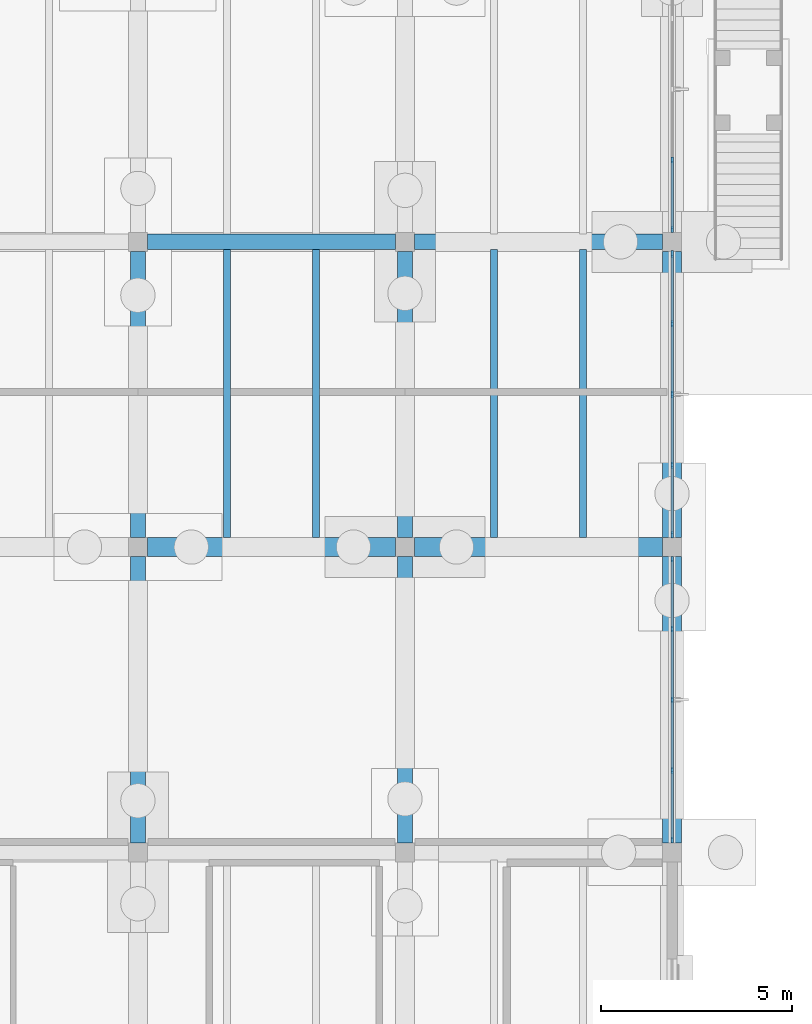
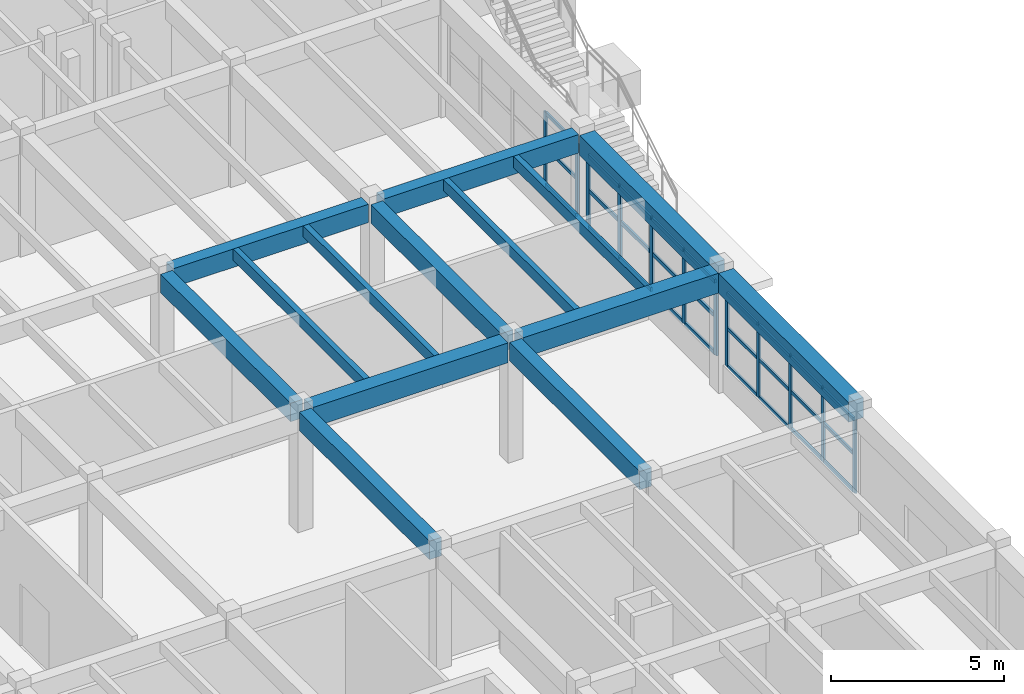
# One storey, part 43 of 99: 39 members, 14 beams, 3 elements without a shape of their own.
"""IFC4 building model written with IfcOpenShell, lengths in metres."""

from ifc_helpers import new_model, si_unit, direction, frame, origin, origin_2d, place, context, subcontext, project, spatial, rectangle, extrude, material, layer, layer_set, material_profile, profile_set, type_object, element, aggregate, save


model = new_model("IFC4")

# Units and contexts
model_context = context("Model", 3, precision=1e-05, world=origin(), true_north=direction((0.0, 1.0)))
body_context = subcontext(model_context, "Body", "Model", "MODEL_VIEW")
ifc_project = project(units=[si_unit("LENGTHUNIT", "METRE"), si_unit("AREAUNIT", "SQUARE_METRE"), si_unit("VOLUMEUNIT", "CUBIC_METRE"), si_unit("PLANEANGLEUNIT", "RADIAN"), si_unit("MASSUNIT", "GRAM", prefix="KILO")], contexts=[model_context])

# Site, building, storey
site_placement = place(None, origin())
site = spatial("IfcSite", under=ifc_project, at=site_placement, CompositionType="ELEMENT")
building_placement = place(site_placement, origin())
building = spatial("IfcBuilding", under=site, at=building_placement, Name="Tonlespit Floodbar School", CompositionType="ELEMENT")
storey_placement = place(building_placement, origin())
storey = spatial("IfcBuildingStorey", under=building, at=storey_placement, Name="L00", CompositionType="ELEMENT", Elevation=0.0)

# Beams
ifc_material_1 = material(Name="Concrete C40/50", Category="concrete")
ifc_material_profile_1 = material_profile(ifc_material_1, rectangle(XDim=0.39990234375, YDim=0.64990234375, at=origin_2d()), Name="RC 400x650")
ifc_profile_set_1 = profile_set([ifc_material_profile_1], Name="Concrete C40/50")
beam_type_1 = type_object("IfcBeamType", Name="Beam_RC_400x650", PredefinedType="BEAM", material=ifc_profile_set_1)
for number, where, z_axis, x_axis, name in (
    (1, (162.25, 96.0, 3.9150390625), (1.0, 0.0, 0.0), (0.0, 1.0, 0.0), "L00 girder 0122"),
    (2, (169.25, 96.0, 3.9150390625), (1.0, 0.0, 0.0), (0.0, 1.0, 0.0), "L00 girder 0123"),
):
    element("IfcBeam", number, at=place(storey_placement, frame(where, z_axis=z_axis, x_axis=x_axis)), inside=storey, type_object=beam_type_1, Name=name, PredefinedType="BEAM", context=body_context, shape_type="SweptSolid", body=[
        extrude(rectangle(XDim=0.39990234375, YDim=0.64990234375, at=origin_2d()), origin(), (0.0, 0.0, 1.0), 6.5),
    ])
for number, where, z_axis, x_axis, name in (
    (3, (162.0, 80.25, 3.9150390625), (0.0, 1.0, 0.0), (-1.0, 0.0, 0.0), "L00 girder 0301"),
    (4, (162.0, 88.25, 3.9150390625), (0.0, 1.0, 0.0), (-1.0, 0.0, 0.0), "L00 girder 0302"),
    (5, (169.0, 80.25, 3.9150390625), (0.0, 1.0, 0.0), (-1.0, 0.0, 0.0), "L00 girder 0309"),
    (6, (169.0, 88.25, 3.9150390625), (0.0, 1.0, 0.0), (-1.0, 0.0, 0.0), "L00 girder 0310"),
):
    element("IfcBeam", number, at=place(storey_placement, frame(where, z_axis=z_axis, x_axis=x_axis)), inside=storey, type_object=beam_type_1, Name=name, PredefinedType="BEAM", context=body_context, shape_type="SweptSolid", body=[
        extrude(rectangle(XDim=0.39990234375, YDim=0.64990234375, at=origin_2d()), origin(), (0.0, 0.0, 1.0), 7.5),
    ])

# Curtain wall, members
ifc_material_2 = material(Name="Anodised Aluminium", Category="aluminium")
ifc_layer = layer(ifc_material_2, 0.159912109375)
ifc_layer_set = layer_set([ifc_layer], Name="Anodised Aluminium")
curtain_wall_type = type_object("IfcCurtainWallType", Name="CurtainWall_7400x2600", PredefinedType="NOTDEFINED", material=ifc_layer_set)
curtain_wall_1_placement = place(storey_placement, origin())
curtain_wall_1 = element("IfcCurtainWall", 7, at=curtain_wall_1_placement, inside=storey, type_object=curtain_wall_type, Name="L00 unitised curtain wall 0374", PredefinedType="NOTDEFINED")
ifc_material_profile_2 = material_profile(ifc_material_2, rectangle(XDim=0.06494140625, YDim=0.14990234375, at=origin_2d()), Name="ALU M65x150")
ifc_profile_set_2 = profile_set([ifc_material_profile_2], Name="Anodised Aluminium")
member_type_1 = type_object("IfcMemberType", Name="CW_Mullion_65x150", PredefinedType="MULLION", material=ifc_profile_set_2)
member_1_placement = place(storey_placement, frame((176.0, 98.14501953125, 0.949951171875), z_axis=(0.0, 0.0, 1.0), x_axis=(1.0, 0.0, 0.0)))
member_1 = element("IfcMember", 8, at=member_1_placement, type_object=member_type_1, Name="CW-52 mullion 4", PredefinedType="MULLION", context=body_context, shape_type="SweptSolid", body=[
    extrude(rectangle(XDim=0.06494140625, YDim=0.14990234375, at=origin_2d()), origin(), (0.0, 0.0, 1.0), 2.590087890625),
])
member_2_placement = place(storey_placement, frame((176.0, 96.322509765625, 0.949951171875), z_axis=(0.0, 0.0, 1.0), x_axis=(1.0, 0.0, 0.0)))
member_2 = element("IfcMember", 9, at=member_2_placement, type_object=member_type_1, Name="CW-52 mullion 5", PredefinedType="MULLION", context=body_context, shape_type="SweptSolid", body=[
    extrude(rectangle(XDim=0.06494140625, YDim=0.14990234375, at=origin_2d()), origin(), (0.0, 0.0, 1.0), 2.590087890625),
])

curtain_wall_2_placement = place(storey_placement, origin())
curtain_wall_2 = element("IfcCurtainWall", 10, at=curtain_wall_2_placement, inside=storey, type_object=curtain_wall_type, Name="L00 unitised curtain wall 0376", PredefinedType="NOTDEFINED")
member_3_placement = place(storey_placement, frame((176.0, 87.677490234375, 0.949951171875), z_axis=(0.0, 0.0, 1.0), x_axis=(1.0, 0.0, 0.0)))
member_3 = element("IfcMember", 11, at=member_3_placement, type_object=member_type_1, Name="CW-52 mullion 1", PredefinedType="MULLION", context=body_context, shape_type="SweptSolid", body=[
    extrude(rectangle(XDim=0.06494140625, YDim=0.14990234375, at=origin_2d()), origin(), (0.0, 0.0, 1.0), 2.590087890625),
])
member_4_placement = place(storey_placement, frame((176.0, 85.85498046875, 0.949951171875), z_axis=(0.0, 0.0, 1.0), x_axis=(1.0, 0.0, 0.0)))
member_4 = element("IfcMember", 12, at=member_4_placement, type_object=member_type_1, Name="CW-52 mullion 2", PredefinedType="MULLION", context=body_context, shape_type="SweptSolid", body=[
    extrude(rectangle(XDim=0.06494140625, YDim=0.14990234375, at=origin_2d()), origin(), (0.0, 0.0, 1.0), 2.590087890625),
])
member_5_placement = place(storey_placement, frame((176.0, 84.0, 0.949951171875), z_axis=(0.0, 0.0, 1.0), x_axis=(1.0, 0.0, 0.0)))
member_5 = element("IfcMember", 13, at=member_5_placement, type_object=member_type_1, Name="CW-52 mullion 3", PredefinedType="MULLION", context=body_context, shape_type="SweptSolid", body=[
    extrude(rectangle(XDim=0.06494140625, YDim=0.14990234375, at=origin_2d()), origin(), (0.0, 0.0, 1.0), 2.590087890625),
])
member_6_placement = place(storey_placement, frame((176.0, 82.14501953125, 0.949951171875), z_axis=(0.0, 0.0, 1.0), x_axis=(1.0, 0.0, 0.0)))
member_6 = element("IfcMember", 14, at=member_6_placement, type_object=member_type_1, Name="CW-52 mullion 4", PredefinedType="MULLION", context=body_context, shape_type="SweptSolid", body=[
    extrude(rectangle(XDim=0.06494140625, YDim=0.14990234375, at=origin_2d()), origin(), (0.0, 0.0, 1.0), 2.590087890625),
])
member_7_placement = place(storey_placement, frame((176.0, 80.322509765625, 0.949951171875), z_axis=(0.0, 0.0, 1.0), x_axis=(1.0, 0.0, 0.0)))
member_7 = element("IfcMember", 15, at=member_7_placement, type_object=member_type_1, Name="CW-52 mullion 5", PredefinedType="MULLION", context=body_context, shape_type="SweptSolid", body=[
    extrude(rectangle(XDim=0.06494140625, YDim=0.14990234375, at=origin_2d()), origin(), (0.0, 0.0, 1.0), 2.590087890625),
])

curtain_wall_3_placement = place(storey_placement, origin())
curtain_wall_3 = element("IfcCurtainWall", 16, at=curtain_wall_3_placement, inside=storey, type_object=curtain_wall_type, Name="L00 unitised curtain wall 0375", PredefinedType="NOTDEFINED")
ifc_material_profile_3 = material_profile(ifc_material_2, rectangle(XDim=0.06494140625, YDim=0.179931640625, at=origin_2d()), Name="ALU M65x180")
ifc_profile_set_3 = profile_set([ifc_material_profile_3], Name="Anodised Aluminium")
member_type_2 = type_object("IfcMemberType", Name="CW_Mullion_65x180", PredefinedType="MULLION", material=ifc_profile_set_3)
member_8_placement = place(storey_placement, frame((176.0, 95.677490234375, 0.949951171875), z_axis=(0.0, 0.0, 1.0), x_axis=(1.0, 0.0, 0.0)))
member_8 = element("IfcMember", 17, at=member_8_placement, type_object=member_type_2, Name="CW-52 mullion 1", PredefinedType="MULLION", context=body_context, shape_type="SweptSolid", body=[
    extrude(rectangle(XDim=0.06494140625, YDim=0.179931640625, at=origin_2d()), origin(), (0.0, 0.0, 1.0), 2.590087890625),
])
member_9_placement = place(storey_placement, frame((176.0, 93.85498046875, 0.949951171875), z_axis=(0.0, 0.0, 1.0), x_axis=(1.0, 0.0, 0.0)))
member_9 = element("IfcMember", 18, at=member_9_placement, type_object=member_type_2, Name="CW-52 mullion 2", PredefinedType="MULLION", context=body_context, shape_type="SweptSolid", body=[
    extrude(rectangle(XDim=0.06494140625, YDim=0.179931640625, at=origin_2d()), origin(), (0.0, 0.0, 1.0), 2.590087890625),
])
member_10_placement = place(storey_placement, frame((176.0, 92.0, 0.949951171875), z_axis=(0.0, 0.0, 1.0), x_axis=(1.0, 0.0, 0.0)))
member_10 = element("IfcMember", 19, at=member_10_placement, type_object=member_type_2, Name="CW-52 mullion 3", PredefinedType="MULLION", context=body_context, shape_type="SweptSolid", body=[
    extrude(rectangle(XDim=0.06494140625, YDim=0.179931640625, at=origin_2d()), origin(), (0.0, 0.0, 1.0), 2.590087890625),
])
member_11_placement = place(storey_placement, frame((176.0, 90.14501953125, 0.949951171875), z_axis=(0.0, 0.0, 1.0), x_axis=(1.0, 0.0, 0.0)))
member_11 = element("IfcMember", 20, at=member_11_placement, type_object=member_type_2, Name="CW-52 mullion 4", PredefinedType="MULLION", context=body_context, shape_type="SweptSolid", body=[
    extrude(rectangle(XDim=0.06494140625, YDim=0.179931640625, at=origin_2d()), origin(), (0.0, 0.0, 1.0), 2.590087890625),
])
member_12_placement = place(storey_placement, frame((176.0, 88.322509765625, 0.949951171875), z_axis=(0.0, 0.0, 1.0), x_axis=(1.0, 0.0, 0.0)))
member_12 = element("IfcMember", 21, at=member_12_placement, type_object=member_type_2, Name="CW-52 mullion 5", PredefinedType="MULLION", context=body_context, shape_type="SweptSolid", body=[
    extrude(rectangle(XDim=0.06494140625, YDim=0.179931640625, at=origin_2d()), origin(), (0.0, 0.0, 1.0), 2.590087890625),
])

# Member
ifc_material_profile_4 = material_profile(ifc_material_2, rectangle(XDim=0.06494140625, YDim=0.1201171875, at=origin_2d()), Name="ALU T65x120")
ifc_profile_set_4 = profile_set([ifc_material_profile_4], Name="Anodised Aluminium")
member_type_3 = type_object("IfcMemberType", Name="CW_Transom_65x120", PredefinedType="USERDEFINED", material=ifc_profile_set_4)
member_13_placement = place(storey_placement, frame((176.0, 98.112548828125, 0.982421875), z_axis=(0.0, -1.0, 0.0), x_axis=(1.0, 0.0, 0.0)))
member_13 = element("IfcMember", 22, at=member_13_placement, type_object=member_type_3, Name="CW-52 transom 4.1", ObjectType="TRANSOM", PredefinedType="USERDEFINED", context=body_context, shape_type="SweptSolid", body=[
    extrude(rectangle(XDim=0.06494140625, YDim=0.1201171875, at=origin_2d()), origin(), (0.0, 0.0, 1.0), 1.757568359375),
])

member_14_placement = place(storey_placement, frame((176.0, 98.112548828125, 2.296875), z_axis=(0.0, -1.0, 0.0), x_axis=(1.0, 0.0, 0.0)))
member_14 = element("IfcMember", 23, at=member_14_placement, type_object=member_type_3, Name="CW-52 transom 4.2", ObjectType="TRANSOM", PredefinedType="USERDEFINED", context=body_context, shape_type="SweptSolid", body=[
    extrude(rectangle(XDim=0.06494140625, YDim=0.1201171875, at=origin_2d()), origin(), (0.0, 0.0, 1.0), 1.757568359375),
])

member_15_placement = place(storey_placement, frame((176.0, 98.112548828125, 3.507568359375), z_axis=(0.0, -1.0, 0.0), x_axis=(1.0, 0.0, 0.0)))
member_15 = element("IfcMember", 24, at=member_15_placement, type_object=member_type_3, Name="CW-52 transom 4.3", ObjectType="TRANSOM", PredefinedType="USERDEFINED", context=body_context, shape_type="SweptSolid", body=[
    extrude(rectangle(XDim=0.06494140625, YDim=0.1201171875, at=origin_2d()), origin(), (0.0, 0.0, 1.0), 1.757568359375),
])

aggregate(curtain_wall_1, [member_1, member_2, member_13, member_14, member_15])

member_16_placement = place(storey_placement, frame((176.0, 87.64501953125, 0.982421875), z_axis=(0.0, -1.0, 0.0), x_axis=(1.0, 0.0, 0.0)))
member_16 = element("IfcMember", 25, at=member_16_placement, type_object=member_type_3, Name="CW-52 transom 1.1", ObjectType="TRANSOM", PredefinedType="USERDEFINED", context=body_context, shape_type="SweptSolid", body=[
    extrude(rectangle(XDim=0.06494140625, YDim=0.1201171875, at=origin_2d()), origin(), (0.0, 0.0, 1.0), 1.757568359375),
])

member_17_placement = place(storey_placement, frame((176.0, 87.64501953125, 2.296875), z_axis=(0.0, -1.0, 0.0), x_axis=(1.0, 0.0, 0.0)))
member_17 = element("IfcMember", 26, at=member_17_placement, type_object=member_type_3, Name="CW-52 transom 1.2", ObjectType="TRANSOM", PredefinedType="USERDEFINED", context=body_context, shape_type="SweptSolid", body=[
    extrude(rectangle(XDim=0.06494140625, YDim=0.1201171875, at=origin_2d()), origin(), (0.0, 0.0, 1.0), 1.757568359375),
])

member_18_placement = place(storey_placement, frame((176.0, 87.64501953125, 3.507568359375), z_axis=(0.0, -1.0, 0.0), x_axis=(1.0, 0.0, 0.0)))
member_18 = element("IfcMember", 27, at=member_18_placement, type_object=member_type_3, Name="CW-52 transom 1.3", ObjectType="TRANSOM", PredefinedType="USERDEFINED", context=body_context, shape_type="SweptSolid", body=[
    extrude(rectangle(XDim=0.06494140625, YDim=0.1201171875, at=origin_2d()), origin(), (0.0, 0.0, 1.0), 1.757568359375),
])

member_19_placement = place(storey_placement, frame((176.0, 85.822509765625, 0.982421875), z_axis=(0.0, -1.0, 0.0), x_axis=(1.0, 0.0, 0.0)))
member_19 = element("IfcMember", 28, at=member_19_placement, type_object=member_type_3, Name="CW-52 transom 2.1", ObjectType="TRANSOM", PredefinedType="USERDEFINED", context=body_context, shape_type="SweptSolid", body=[
    extrude(rectangle(XDim=0.06494140625, YDim=0.1201171875, at=origin_2d()), origin(), (0.0, 0.0, 1.0), 1.7900390625),
])

member_20_placement = place(storey_placement, frame((176.0, 85.822509765625, 2.296875), z_axis=(0.0, -1.0, 0.0), x_axis=(1.0, 0.0, 0.0)))
member_20 = element("IfcMember", 29, at=member_20_placement, type_object=member_type_3, Name="CW-52 transom 2.2", ObjectType="TRANSOM", PredefinedType="USERDEFINED", context=body_context, shape_type="SweptSolid", body=[
    extrude(rectangle(XDim=0.06494140625, YDim=0.1201171875, at=origin_2d()), origin(), (0.0, 0.0, 1.0), 1.7900390625),
])

member_21_placement = place(storey_placement, frame((176.0, 85.822509765625, 3.507568359375), z_axis=(0.0, -1.0, 0.0), x_axis=(1.0, 0.0, 0.0)))
member_21 = element("IfcMember", 30, at=member_21_placement, type_object=member_type_3, Name="CW-52 transom 2.3", ObjectType="TRANSOM", PredefinedType="USERDEFINED", context=body_context, shape_type="SweptSolid", body=[
    extrude(rectangle(XDim=0.06494140625, YDim=0.1201171875, at=origin_2d()), origin(), (0.0, 0.0, 1.0), 1.7900390625),
])

member_22_placement = place(storey_placement, frame((176.0, 83.967529296875, 0.982421875), z_axis=(0.0, -1.0, 0.0), x_axis=(1.0, 0.0, 0.0)))
member_22 = element("IfcMember", 31, at=member_22_placement, type_object=member_type_3, Name="CW-52 transom 3.1", ObjectType="TRANSOM", PredefinedType="USERDEFINED", context=body_context, shape_type="SweptSolid", body=[
    extrude(rectangle(XDim=0.06494140625, YDim=0.1201171875, at=origin_2d()), origin(), (0.0, 0.0, 1.0), 1.7900390625),
])

member_23_placement = place(storey_placement, frame((176.0, 83.967529296875, 2.296875), z_axis=(0.0, -1.0, 0.0), x_axis=(1.0, 0.0, 0.0)))
member_23 = element("IfcMember", 32, at=member_23_placement, type_object=member_type_3, Name="CW-52 transom 3.2", ObjectType="TRANSOM", PredefinedType="USERDEFINED", context=body_context, shape_type="SweptSolid", body=[
    extrude(rectangle(XDim=0.06494140625, YDim=0.1201171875, at=origin_2d()), origin(), (0.0, 0.0, 1.0), 1.7900390625),
])

member_24_placement = place(storey_placement, frame((176.0, 83.967529296875, 3.507568359375), z_axis=(0.0, -1.0, 0.0), x_axis=(1.0, 0.0, 0.0)))
member_24 = element("IfcMember", 33, at=member_24_placement, type_object=member_type_3, Name="CW-52 transom 3.3", ObjectType="TRANSOM", PredefinedType="USERDEFINED", context=body_context, shape_type="SweptSolid", body=[
    extrude(rectangle(XDim=0.06494140625, YDim=0.1201171875, at=origin_2d()), origin(), (0.0, 0.0, 1.0), 1.7900390625),
])

member_25_placement = place(storey_placement, frame((176.0, 82.112548828125, 0.982421875), z_axis=(0.0, -1.0, 0.0), x_axis=(1.0, 0.0, 0.0)))
member_25 = element("IfcMember", 34, at=member_25_placement, type_object=member_type_3, Name="CW-52 transom 4.1", ObjectType="TRANSOM", PredefinedType="USERDEFINED", context=body_context, shape_type="SweptSolid", body=[
    extrude(rectangle(XDim=0.06494140625, YDim=0.1201171875, at=origin_2d()), origin(), (0.0, 0.0, 1.0), 1.757568359375),
])

member_26_placement = place(storey_placement, frame((176.0, 82.112548828125, 2.296875), z_axis=(0.0, -1.0, 0.0), x_axis=(1.0, 0.0, 0.0)))
member_26 = element("IfcMember", 35, at=member_26_placement, type_object=member_type_3, Name="CW-52 transom 4.2", ObjectType="TRANSOM", PredefinedType="USERDEFINED", context=body_context, shape_type="SweptSolid", body=[
    extrude(rectangle(XDim=0.06494140625, YDim=0.1201171875, at=origin_2d()), origin(), (0.0, 0.0, 1.0), 1.757568359375),
])

member_27_placement = place(storey_placement, frame((176.0, 82.112548828125, 3.507568359375), z_axis=(0.0, -1.0, 0.0), x_axis=(1.0, 0.0, 0.0)))
member_27 = element("IfcMember", 36, at=member_27_placement, type_object=member_type_3, Name="CW-52 transom 4.3", ObjectType="TRANSOM", PredefinedType="USERDEFINED", context=body_context, shape_type="SweptSolid", body=[
    extrude(rectangle(XDim=0.06494140625, YDim=0.1201171875, at=origin_2d()), origin(), (0.0, 0.0, 1.0), 1.757568359375),
])

aggregate(curtain_wall_2, [member_3, member_4, member_5, member_6, member_7, member_16, member_17, member_18, member_19, member_20, member_21, member_22, member_23, member_24, member_25, member_26, member_27])

ifc_material_profile_5 = material_profile(ifc_material_2, rectangle(XDim=0.06494140625, YDim=0.139892578125, at=origin_2d()), Name="ALU T65x140")
ifc_profile_set_5 = profile_set([ifc_material_profile_5], Name="Anodised Aluminium")
member_type_4 = type_object("IfcMemberType", Name="CW_Transom_65x140", PredefinedType="USERDEFINED", material=ifc_profile_set_5)
member_28_placement = place(storey_placement, frame((176.0, 95.64501953125, 0.982421875), z_axis=(0.0, -1.0, 0.0), x_axis=(1.0, 0.0, 0.0)))
member_28 = element("IfcMember", 37, at=member_28_placement, type_object=member_type_4, Name="CW-52 transom 1.1", ObjectType="TRANSOM", PredefinedType="USERDEFINED", context=body_context, shape_type="SweptSolid", body=[
    extrude(rectangle(XDim=0.06494140625, YDim=0.139892578125, at=origin_2d()), origin(), (0.0, 0.0, 1.0), 1.757568359375),
])

member_29_placement = place(storey_placement, frame((176.0, 95.64501953125, 2.296875), z_axis=(0.0, -1.0, 0.0), x_axis=(1.0, 0.0, 0.0)))
member_29 = element("IfcMember", 38, at=member_29_placement, type_object=member_type_4, Name="CW-52 transom 1.2", ObjectType="TRANSOM", PredefinedType="USERDEFINED", context=body_context, shape_type="SweptSolid", body=[
    extrude(rectangle(XDim=0.06494140625, YDim=0.139892578125, at=origin_2d()), origin(), (0.0, 0.0, 1.0), 1.757568359375),
])

member_30_placement = place(storey_placement, frame((176.0, 95.64501953125, 3.507568359375), z_axis=(0.0, -1.0, 0.0), x_axis=(1.0, 0.0, 0.0)))
member_30 = element("IfcMember", 39, at=member_30_placement, type_object=member_type_4, Name="CW-52 transom 1.3", ObjectType="TRANSOM", PredefinedType="USERDEFINED", context=body_context, shape_type="SweptSolid", body=[
    extrude(rectangle(XDim=0.06494140625, YDim=0.139892578125, at=origin_2d()), origin(), (0.0, 0.0, 1.0), 1.757568359375),
])

member_31_placement = place(storey_placement, frame((176.0, 93.822509765625, 0.982421875), z_axis=(0.0, -1.0, 0.0), x_axis=(1.0, 0.0, 0.0)))
member_31 = element("IfcMember", 40, at=member_31_placement, type_object=member_type_4, Name="CW-52 transom 2.1", ObjectType="TRANSOM", PredefinedType="USERDEFINED", context=body_context, shape_type="SweptSolid", body=[
    extrude(rectangle(XDim=0.06494140625, YDim=0.139892578125, at=origin_2d()), origin(), (0.0, 0.0, 1.0), 1.7900390625),
])

member_32_placement = place(storey_placement, frame((176.0, 93.822509765625, 2.296875), z_axis=(0.0, -1.0, 0.0), x_axis=(1.0, 0.0, 0.0)))
member_32 = element("IfcMember", 41, at=member_32_placement, type_object=member_type_4, Name="CW-52 transom 2.2", ObjectType="TRANSOM", PredefinedType="USERDEFINED", context=body_context, shape_type="SweptSolid", body=[
    extrude(rectangle(XDim=0.06494140625, YDim=0.139892578125, at=origin_2d()), origin(), (0.0, 0.0, 1.0), 1.7900390625),
])

member_33_placement = place(storey_placement, frame((176.0, 93.822509765625, 3.507568359375), z_axis=(0.0, -1.0, 0.0), x_axis=(1.0, 0.0, 0.0)))
member_33 = element("IfcMember", 42, at=member_33_placement, type_object=member_type_4, Name="CW-52 transom 2.3", ObjectType="TRANSOM", PredefinedType="USERDEFINED", context=body_context, shape_type="SweptSolid", body=[
    extrude(rectangle(XDim=0.06494140625, YDim=0.139892578125, at=origin_2d()), origin(), (0.0, 0.0, 1.0), 1.7900390625),
])

member_34_placement = place(storey_placement, frame((176.0, 91.967529296875, 0.982421875), z_axis=(0.0, -1.0, 0.0), x_axis=(1.0, 0.0, 0.0)))
member_34 = element("IfcMember", 43, at=member_34_placement, type_object=member_type_4, Name="CW-52 transom 3.1", ObjectType="TRANSOM", PredefinedType="USERDEFINED", context=body_context, shape_type="SweptSolid", body=[
    extrude(rectangle(XDim=0.06494140625, YDim=0.139892578125, at=origin_2d()), origin(), (0.0, 0.0, 1.0), 1.7900390625),
])

member_35_placement = place(storey_placement, frame((176.0, 91.967529296875, 2.296875), z_axis=(0.0, -1.0, 0.0), x_axis=(1.0, 0.0, 0.0)))
member_35 = element("IfcMember", 44, at=member_35_placement, type_object=member_type_4, Name="CW-52 transom 3.2", ObjectType="TRANSOM", PredefinedType="USERDEFINED", context=body_context, shape_type="SweptSolid", body=[
    extrude(rectangle(XDim=0.06494140625, YDim=0.139892578125, at=origin_2d()), origin(), (0.0, 0.0, 1.0), 1.7900390625),
])

member_36_placement = place(storey_placement, frame((176.0, 91.967529296875, 3.507568359375), z_axis=(0.0, -1.0, 0.0), x_axis=(1.0, 0.0, 0.0)))
member_36 = element("IfcMember", 45, at=member_36_placement, type_object=member_type_4, Name="CW-52 transom 3.3", ObjectType="TRANSOM", PredefinedType="USERDEFINED", context=body_context, shape_type="SweptSolid", body=[
    extrude(rectangle(XDim=0.06494140625, YDim=0.139892578125, at=origin_2d()), origin(), (0.0, 0.0, 1.0), 1.7900390625),
])

member_37_placement = place(storey_placement, frame((176.0, 90.112548828125, 0.982421875), z_axis=(0.0, -1.0, 0.0), x_axis=(1.0, 0.0, 0.0)))
member_37 = element("IfcMember", 46, at=member_37_placement, type_object=member_type_4, Name="CW-52 transom 4.1", ObjectType="TRANSOM", PredefinedType="USERDEFINED", context=body_context, shape_type="SweptSolid", body=[
    extrude(rectangle(XDim=0.06494140625, YDim=0.139892578125, at=origin_2d()), origin(), (0.0, 0.0, 1.0), 1.757568359375),
])

member_38_placement = place(storey_placement, frame((176.0, 90.112548828125, 2.296875), z_axis=(0.0, -1.0, 0.0), x_axis=(1.0, 0.0, 0.0)))
member_38 = element("IfcMember", 47, at=member_38_placement, type_object=member_type_4, Name="CW-52 transom 4.2", ObjectType="TRANSOM", PredefinedType="USERDEFINED", context=body_context, shape_type="SweptSolid", body=[
    extrude(rectangle(XDim=0.06494140625, YDim=0.139892578125, at=origin_2d()), origin(), (0.0, 0.0, 1.0), 1.757568359375),
])

member_39_placement = place(storey_placement, frame((176.0, 90.112548828125, 3.507568359375), z_axis=(0.0, -1.0, 0.0), x_axis=(1.0, 0.0, 0.0)))
member_39 = element("IfcMember", 48, at=member_39_placement, type_object=member_type_4, Name="CW-52 transom 4.3", ObjectType="TRANSOM", PredefinedType="USERDEFINED", context=body_context, shape_type="SweptSolid", body=[
    extrude(rectangle(XDim=0.06494140625, YDim=0.139892578125, at=origin_2d()), origin(), (0.0, 0.0, 1.0), 1.757568359375),
])

aggregate(curtain_wall_3, [member_8, member_9, member_10, member_11, member_12, member_28, member_29, member_30, member_31, member_32, member_33, member_34, member_35, member_36, member_37, member_38, member_39])

# Beams
ifc_material_3 = material(Name="Glulam GL28h", Category="wood")
ifc_material_profile_6 = material_profile(ifc_material_3, rectangle(XDim=0.179931640625, YDim=0.39990234375, at=origin_2d()), Name="GL 180x400")
ifc_profile_set_6 = profile_set([ifc_material_profile_6], Name="Glulam GL28h")
beam_type_2 = type_object("IfcBeamType", Name="Joist_GL_180x400", PredefinedType="JOIST", material=ifc_profile_set_6)
for number, where, z_axis, x_axis, name in (
    (49, (164.333251953125, 88.25, 4.0400390625), (0.0, 1.0, 0.0), (-1.0, 0.0, 0.0), "L00 secondary joist 0476"),
    (50, (166.666748046875, 88.25, 4.0400390625), (0.0, 1.0, 0.0), (-1.0, 0.0, 0.0), "L00 secondary joist 0477"),
    (51, (171.333251953125, 88.25, 4.0400390625), (0.0, 1.0, 0.0), (-1.0, 0.0, 0.0), "L00 secondary joist 0478"),
    (52, (173.666748046875, 88.25, 4.0400390625), (0.0, 1.0, 0.0), (-1.0, 0.0, 0.0), "L00 secondary joist 0479"),
):
    element("IfcBeam", number, at=place(storey_placement, frame(where, z_axis=z_axis, x_axis=x_axis)), inside=storey, type_object=beam_type_2, Name=name, PredefinedType="JOIST", context=body_context, shape_type="SweptSolid", body=[
        extrude(rectangle(XDim=0.179931640625, YDim=0.39990234375, at=origin_2d()), origin(), (0.0, 0.0, 1.0), 7.550048828125),
    ])
ifc_material_profile_7 = material_profile(ifc_material_1, rectangle(XDim=0.5, YDim=0.699951171875, at=origin_2d()), Name="RC 500x700")
ifc_profile_set_7 = profile_set([ifc_material_profile_7], Name="Concrete C40/50")
beam_type_3 = type_object("IfcBeamType", Name="Spandrel_RC_500x700", PredefinedType="SPANDREL", material=ifc_profile_set_7)
for number, where, z_axis, x_axis, name in (
    (53, (162.25, 88.0, 3.889892578125), (1.0, 0.0, 0.0), (0.0, 1.0, 0.0), "L00 girder 0105"),
    (54, (169.25, 88.0, 3.889892578125), (1.0, 0.0, 0.0), (0.0, 1.0, 0.0), "L00 girder 0106"),
):
    element("IfcBeam", number, at=place(storey_placement, frame(where, z_axis=z_axis, x_axis=x_axis)), inside=storey, type_object=beam_type_3, Name=name, PredefinedType="SPANDREL", context=body_context, shape_type="SweptSolid", body=[
        extrude(rectangle(XDim=0.5, YDim=0.699951171875, at=origin_2d()), origin(), (0.0, 0.0, 1.0), 6.5),
    ])
for number, where, z_axis, x_axis, name in (
    (55, (176.0, 80.25, 3.889892578125), (0.0, 1.0, 0.0), (-1.0, 0.0, 0.0), "L00 girder 0323"),
    (56, (176.0, 88.25, 3.889892578125), (0.0, 1.0, 0.0), (-1.0, 0.0, 0.0), "L00 girder 0324"),
):
    element("IfcBeam", number, at=place(storey_placement, frame(where, z_axis=z_axis, x_axis=x_axis)), inside=storey, type_object=beam_type_3, Name=name, PredefinedType="SPANDREL", context=body_context, shape_type="SweptSolid", body=[
        extrude(rectangle(XDim=0.5, YDim=0.699951171875, at=origin_2d()), origin(), (0.0, 0.0, 1.0), 7.5),
    ])

save(model, "model.ifc")
